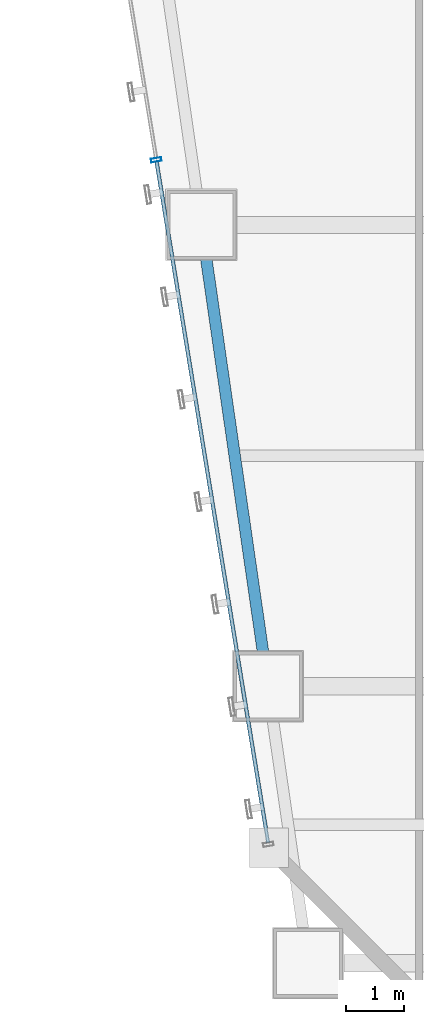
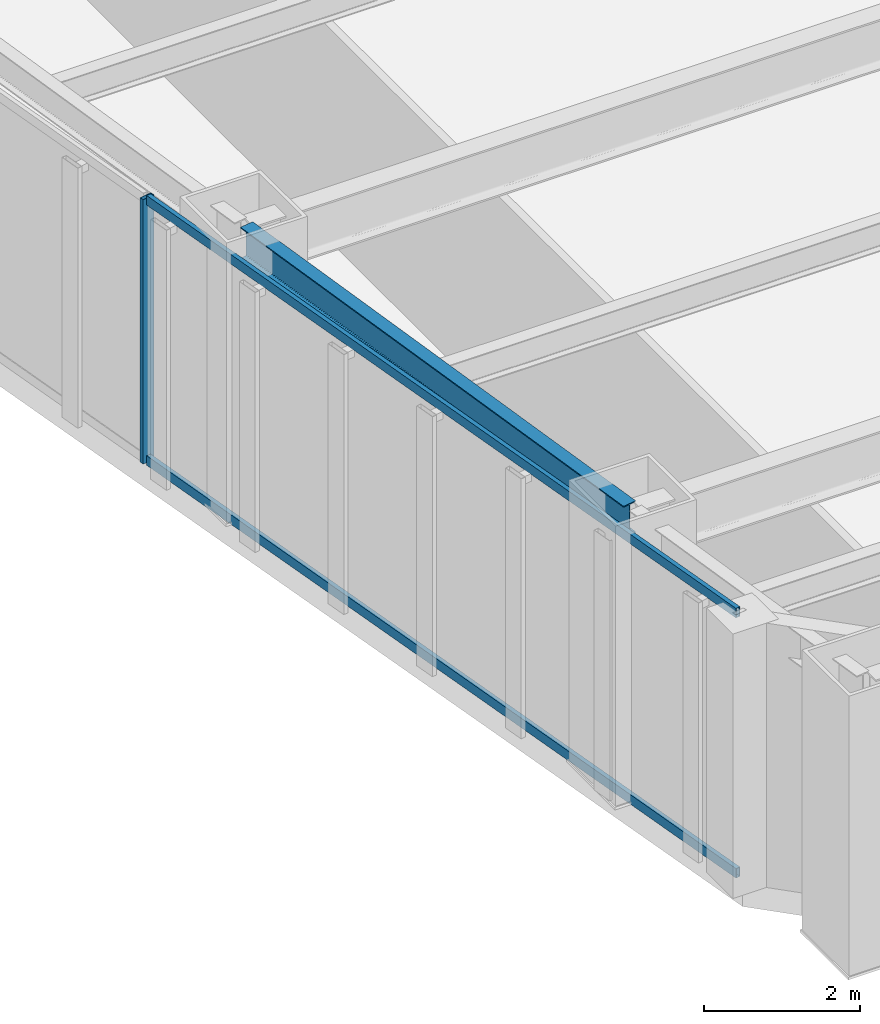
# One storey, part 5 of 49: 3 members, 1 beam, 1 element without a shape of its own.
"""IFC4 building model written with IfcOpenShell, lengths in metres."""

from ifc_helpers import new_model, si_unit, direction, frame, origin, origin_2d, place, context, subcontext, project, spatial, hollow_rectangle, i_section, extrude, material, material_profile, profile_set, type_object, element, aggregate, save


model = new_model("IFC4")

# Units and contexts
model_context = context("Model", 3, precision=1e-05, world=origin(), true_north=direction((0.0, 1.0)))
body_context = subcontext(model_context, "Body", "Model", "MODEL_VIEW")
ifc_project = project(units=[si_unit("LENGTHUNIT", "METRE"), si_unit("AREAUNIT", "SQUARE_METRE"), si_unit("VOLUMEUNIT", "CUBIC_METRE"), si_unit("PLANEANGLEUNIT", "RADIAN"), si_unit("MASSUNIT", "GRAM", prefix="KILO")], contexts=[model_context])

# Site, building, storey
site_placement = place(None, origin())
site = spatial("IfcSite", under=ifc_project, at=site_placement, CompositionType="ELEMENT")
building_placement = place(site_placement, origin())
building = spatial("IfcBuilding", under=site, at=building_placement, Name="Saevonmaru Cultural Tower", CompositionType="ELEMENT")
storey_placement = place(building_placement, frame((0.0, 0.0, 38.39990234375)))
storey = spatial("IfcBuildingStorey", under=building, at=storey_placement, Name="L07", CompositionType="ELEMENT", Elevation=38.39990234375)

# Beam
ifc_material_1 = material(Name="Steel SM355", Category="steel")
ifc_material_profile_1 = material_profile(ifc_material_1, i_section(OverallWidth=0.199951171875, OverallDepth=0.5, WebThickness=0.010009765625, FlangeThickness=0.01611328125, FilletRadius=0.02001953125, at=origin_2d()), Name="H-500x200x10x16")
ifc_profile_set_1 = profile_set([ifc_material_profile_1], Name="Steel SM355")
beam_type = type_object("IfcBeamType", Name="BM-SP-H500", PredefinedType="SPANDREL", material=ifc_profile_set_1)
beam_placement = place(storey_placement, frame((11.7744140625, 8.059326171875, 3.900146484375), z_axis=(-0.142871999001, 0.989741174197, 0.0), x_axis=(-0.989741174197, -0.142871999001, 0.0)))
element("IfcBeam", 1, at=beam_placement, inside=storey, type_object=beam_type, Name="L07 West Splayed Spandrel 2", PredefinedType="SPANDREL", context=body_context, shape_type="SweptSolid", body=[
    extrude(i_section(OverallWidth=0.199951171875, OverallDepth=0.5, WebThickness=0.010009765625, FlangeThickness=0.01611328125, FilletRadius=0.02001953125, at=origin_2d()), origin(), (0.0, 0.0, 1.0), 7.963134765625),
])

# Curtain wall, members
ifc_material_2 = material(Name="Satin Bronze Anodised Aluminium", Category="aluminium")
curtain_wall_type = type_object("IfcCurtainWallType", Name="CW-TYP-A", PredefinedType="NOTDEFINED", material=ifc_material_2)
curtain_wall_placement = place(storey_placement, origin())
curtain_wall = element("IfcCurtainWall", 2, at=curtain_wall_placement, inside=storey, type_object=curtain_wall_type, Name="L07 Unitised Curtain Wall E12", PredefinedType="NOTDEFINED")
ifc_material_profile_2 = material_profile(ifc_material_2, hollow_rectangle(XDim=0.06494140625, YDim=0.179931640625, WallThickness=0.00390625, at=origin_2d()), Name="ALU-MULL-180x65x4")
ifc_profile_set_2 = profile_set([ifc_material_profile_2], Name="Satin Bronze Anodised Aluminium")
member_type_1 = type_object("IfcMemberType", Name="ML-CW-180x65", PredefinedType="MULLION", material=ifc_profile_set_2)
member_1_placement = place(storey_placement, frame((9.84521484375, 17.129638671875, 0.0), z_axis=(0.0, 0.0, 1.0), x_axis=(0.161708868641, -0.986838508472, 0.0)))
member_1 = element("IfcMember", 3, at=member_1_placement, type_object=member_type_1, Name="CW-TW-L07-E12 mullion 4", PredefinedType="MULLION", context=body_context, shape_type="SweptSolid", body=[
    extrude(hollow_rectangle(XDim=0.06494140625, YDim=0.179931640625, WallThickness=0.00390625, at=origin_2d()), origin(), (0.0, 0.0, 1.0), 4.150146484375),
])
ifc_material_profile_3 = material_profile(ifc_material_2, hollow_rectangle(XDim=0.06494140625, YDim=0.14990234375, WallThickness=0.00390625, at=origin_2d()), Name="ALU-TRAN-150x65x4")
ifc_profile_set_3 = profile_set([ifc_material_profile_3], Name="Satin Bronze Anodised Aluminium")
member_type_2 = type_object("IfcMemberType", Name="TR-CW-150x65", PredefinedType="USERDEFINED", material=ifc_profile_set_3)
member_2_placement = place(storey_placement, frame((9.850341796875, 17.097412109375, 0.03271484375), z_axis=(0.161724530373, -0.986835941925, 0.0), x_axis=(0.986835941925, 0.161724530373, 0.0)))
member_2 = element("IfcMember", 4, at=member_2_placement, type_object=member_type_2, Name="CW-TW-L07-E12 transom 4.1", ObjectType="TRANSOM", PredefinedType="USERDEFINED", context=body_context, shape_type="SweptSolid", body=[
    extrude(hollow_rectangle(XDim=0.06494140625, YDim=0.14990234375, WallThickness=0.00390625, at=origin_2d()), origin(), (0.0, 0.0, 1.0), 11.963623046875),
])
member_3_placement = place(storey_placement, frame((9.850341796875, 17.097412109375, 4.11767578125), z_axis=(0.161724530373, -0.986835941925, 0.0), x_axis=(0.986835941925, 0.161724530373, 0.0)))
member_3 = element("IfcMember", 5, at=member_3_placement, type_object=member_type_2, Name="CW-TW-L07-E12 transom 4.2", ObjectType="TRANSOM", PredefinedType="USERDEFINED", context=body_context, shape_type="SweptSolid", body=[
    extrude(hollow_rectangle(XDim=0.06494140625, YDim=0.14990234375, WallThickness=0.00390625, at=origin_2d()), origin(), (0.0, 0.0, 1.0), 11.963623046875),
])
aggregate(curtain_wall, [member_1, member_2, member_3])

save(model, "model.ifc")
